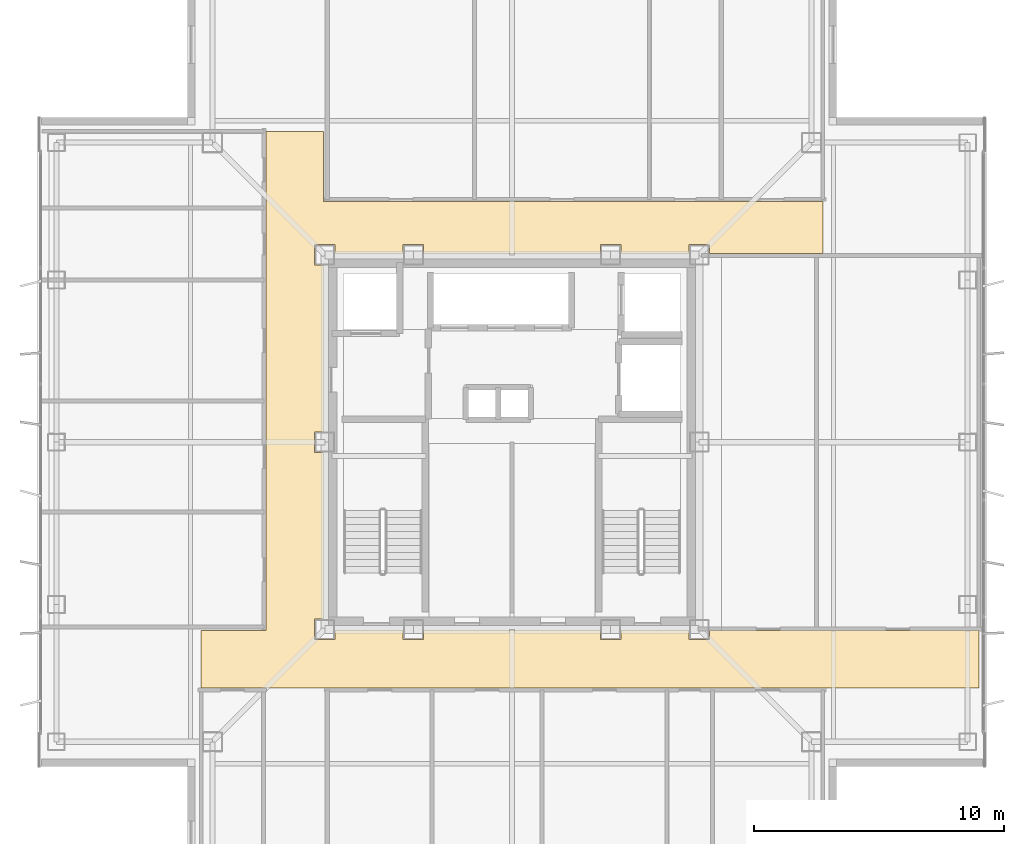
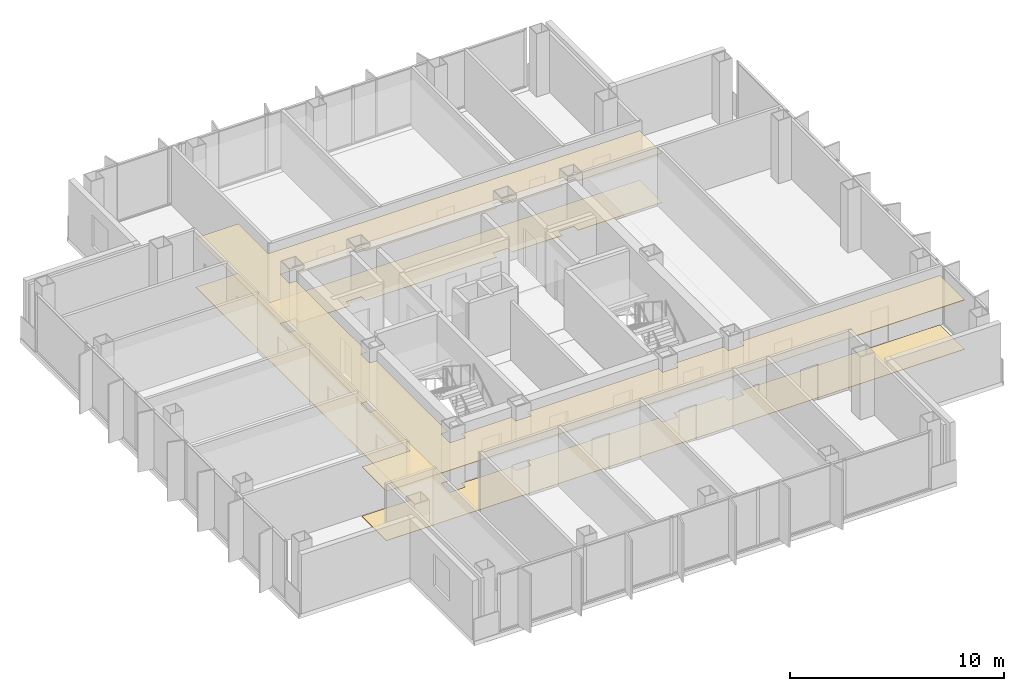
# One storey, part 13 of 15: 2 coverings.
"""IFC4 building model written with IfcOpenShell, lengths in metres."""

from ifc_helpers import new_model, si_unit, direction, frame, origin, place, context, subcontext, project, spatial, polyline, outline, extrude, material, layer, layer_set, type_object, element, save


model = new_model("IFC4")

# Units and contexts
model_context = context("Model", 3, precision=1e-05, world=origin(), true_north=direction((0.0, 1.0)))
body_context = subcontext(model_context, "Body", "Model", "MODEL_VIEW")
ifc_project = project(units=[si_unit("LENGTHUNIT", "METRE"), si_unit("AREAUNIT", "SQUARE_METRE"), si_unit("VOLUMEUNIT", "CUBIC_METRE"), si_unit("PLANEANGLEUNIT", "RADIAN"), si_unit("MASSUNIT", "GRAM", prefix="KILO")], contexts=[model_context])

# Site, building, storey
site_placement = place(None, origin())
site = spatial("IfcSite", under=ifc_project, at=site_placement, CompositionType="ELEMENT")
building_placement = place(site_placement, origin())
building = spatial("IfcBuilding", under=site, at=building_placement, Name="Trevonay Congress Spire", CompositionType="ELEMENT")
storey_placement = place(building_placement, frame((0.0, 0.0, 239.60009765625)))
storey = spatial("IfcBuildingStorey", under=building, at=storey_placement, Name="L62", CompositionType="ELEMENT", Elevation=239.60009765625)

# Coverings
ifc_material_1 = material(Name="Acoustic Mineral Fibre Board", Category="gypsum")
ifc_layer_1 = layer(ifc_material_1, 0.02490234375, Name="Acoustic Mineral Fibre Board")
ifc_layer_set_1 = layer_set([ifc_layer_1], Name="Acoustic Mineral Fibre Board")
covering_type_1 = type_object("IfcCoveringType", Name="COV-CEIL-ACOUSTIC", PredefinedType="CEILING", material=ifc_layer_set_1)
covering_1_placement = place(storey_placement, frame((0.0, 0.0, 2.809814453125)))
element("IfcCovering", 1, at=covering_1_placement, inside=storey, type_object=covering_type_1, Name="L62 Cruciform Boulevard Corridor acoustic suspended ceiling", PredefinedType="CEILING", context=body_context, shape_type="SweptSolid", body=[
    extrude(outline(polyline([(18.699951171875, -7.550048828125), (18.699951171875, -9.85009765625), (-12.449951171875, -9.85009765625), (-12.449951171875, -7.550048828125), (-9.85009765625, -7.550048828125), (-9.85009765625, 12.449951171875), (-7.550048828125, 12.449951171875), (-7.550048828125, 9.64990234375), (12.449951171875, 9.64990234375), (12.449951171875, 7.550048828125), (7.909912109375, 7.550048828125), (7.909912109375, 7.909912109375), (7.090087890625, 7.909912109375), (7.090087890625, 7.550048828125), (4.360107421875, 7.550048828125), (4.360107421875, 7.909912109375), (3.5400390625, 7.909912109375), (3.5400390625, 7.550048828125), (-3.5400390625, 7.550048828125), (-3.5400390625, 7.909912109375), (-4.360107421875, 7.909912109375), (-4.360107421875, 7.550048828125), (-7.090087890625, 7.550048828125), (-7.090087890625, 7.909912109375), (-7.909912109375, 7.909912109375), (-7.909912109375, 7.090087890625), (-7.550048828125, 7.090087890625), (-7.550048828125, 0.409912109375), (-7.909912109375, 0.409912109375), (-7.909912109375, -0.409912109375), (-7.550048828125, -0.409912109375), (-7.550048828125, -7.090087890625), (-7.909912109375, -7.090087890625), (-7.909912109375, -7.909912109375), (-7.090087890625, -7.909912109375), (-7.090087890625, -7.550048828125), (-4.360107421875, -7.550048828125), (-4.360107421875, -7.909912109375), (-3.5400390625, -7.909912109375), (-3.5400390625, -7.550048828125), (3.5400390625, -7.550048828125), (3.5400390625, -7.909912109375), (4.360107421875, -7.909912109375), (4.360107421875, -7.550048828125), (7.090087890625, -7.550048828125), (7.090087890625, -7.909912109375), (7.909912109375, -7.909912109375), (7.909912109375, -7.550048828125), (18.699951171875, -7.550048828125)])), origin(), (0.0, 0.0, 1.0), 0.025146484375),
])
ifc_material_2 = material(Name="Polished Granite Floor Tile", Category="masonry")
ifc_layer_2 = layer(ifc_material_2, 0.02001953125, Name="Polished Granite Floor Tile")
ifc_layer_set_2 = layer_set([ifc_layer_2], Name="Polished Granite Floor Tile")
covering_type_2 = type_object("IfcCoveringType", Name="COV-FLOOR-STONE", PredefinedType="FLOORING", material=ifc_layer_set_2)
covering_2_placement = place(storey_placement, origin())
element("IfcCovering", 2, at=covering_2_placement, inside=storey, type_object=covering_type_2, Name="L62 Cruciform Boulevard Corridor floor finish", PredefinedType="FLOORING", context=body_context, shape_type="SweptSolid", body=[
    extrude(outline(polyline([(18.699951171875, -7.550048828125), (18.699951171875, -9.85009765625), (-12.449951171875, -9.85009765625), (-12.449951171875, -7.550048828125), (-9.85009765625, -7.550048828125), (-9.85009765625, 12.449951171875), (-7.550048828125, 12.449951171875), (-7.550048828125, 9.64990234375), (12.449951171875, 9.64990234375), (12.449951171875, 7.550048828125), (7.909912109375, 7.550048828125), (7.909912109375, 7.909912109375), (7.090087890625, 7.909912109375), (7.090087890625, 7.550048828125), (4.360107421875, 7.550048828125), (4.360107421875, 7.909912109375), (3.5400390625, 7.909912109375), (3.5400390625, 7.550048828125), (-3.5400390625, 7.550048828125), (-3.5400390625, 7.909912109375), (-4.360107421875, 7.909912109375), (-4.360107421875, 7.550048828125), (-7.090087890625, 7.550048828125), (-7.090087890625, 7.909912109375), (-7.909912109375, 7.909912109375), (-7.909912109375, 7.090087890625), (-7.550048828125, 7.090087890625), (-7.550048828125, 0.409912109375), (-7.909912109375, 0.409912109375), (-7.909912109375, -0.409912109375), (-7.550048828125, -0.409912109375), (-7.550048828125, -7.090087890625), (-7.909912109375, -7.090087890625), (-7.909912109375, -7.909912109375), (-7.090087890625, -7.909912109375), (-7.090087890625, -7.550048828125), (-4.360107421875, -7.550048828125), (-4.360107421875, -7.909912109375), (-3.5400390625, -7.909912109375), (-3.5400390625, -7.550048828125), (3.5400390625, -7.550048828125), (3.5400390625, -7.909912109375), (4.360107421875, -7.909912109375), (4.360107421875, -7.550048828125), (7.090087890625, -7.550048828125), (7.090087890625, -7.909912109375), (7.909912109375, -7.909912109375), (7.909912109375, -7.550048828125), (18.699951171875, -7.550048828125)])), origin(), (0.0, 0.0, 1.0), 0.02001953125),
])

save(model, "model.ifc")
